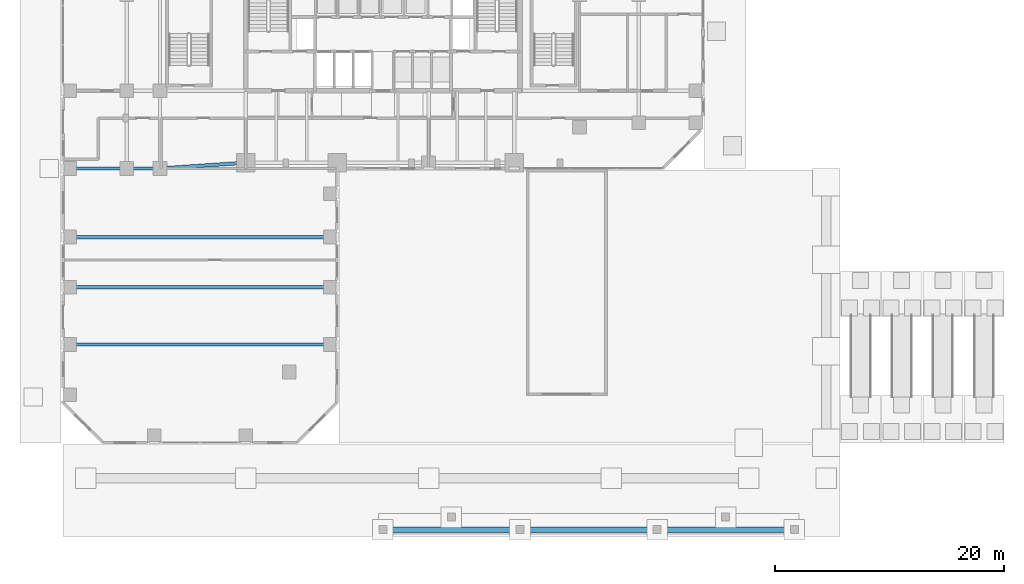
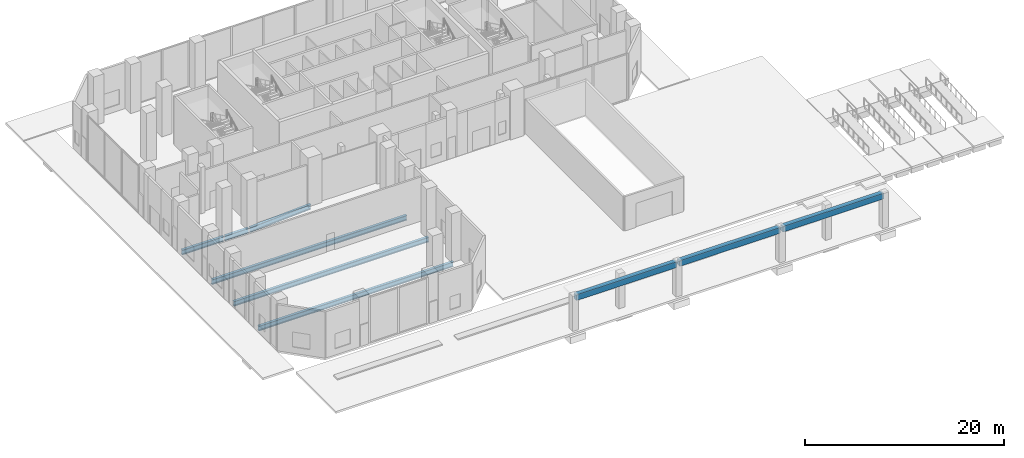
# One storey, part 3 of 26: 9 beams.
"""IFC4 building model written with IfcOpenShell, lengths in metres."""

from ifc_helpers import new_model, si_unit, direction, frame, origin, origin_2d, place, context, subcontext, project, spatial, rectangle, i_section, extrude, material, material_profile, profile_set, type_object, element, save


model = new_model("IFC4")

# Units and contexts
model_context = context("Model", 3, precision=1e-05, world=origin(), true_north=direction((0.0, 1.0)))
body_context = subcontext(model_context, "Body", "Model", "MODEL_VIEW")
ifc_project = project(units=[si_unit("LENGTHUNIT", "METRE"), si_unit("AREAUNIT", "SQUARE_METRE"), si_unit("VOLUMEUNIT", "CUBIC_METRE"), si_unit("PLANEANGLEUNIT", "RADIAN"), si_unit("MASSUNIT", "GRAM", prefix="KILO")], contexts=[model_context])

# Site, building, storey
site_placement = place(None, origin())
site = spatial("IfcSite", under=ifc_project, at=site_placement, CompositionType="ELEMENT")
building_placement = place(site_placement, origin())
building = spatial("IfcBuilding", under=site, at=building_placement, Name="Catumbela Crestline Tower", CompositionType="ELEMENT")
storey_placement = place(building_placement, origin())
storey = spatial("IfcBuildingStorey", under=building, at=storey_placement, Name="L00", CompositionType="ELEMENT", Elevation=0.0)

# Beams
ifc_material_1 = material(Name="Structural steel S355J2", Category="steel")
ifc_material_profile_1 = material_profile(ifc_material_1, i_section(OverallWidth=0.3, OverallDepth=0.6, WebThickness=0.0155, FlangeThickness=0.03, FilletRadius=0.027, at=origin_2d()), Name="HEB 600")
ifc_profile_set_1 = profile_set([ifc_material_profile_1], Name="Structural steel S355J2")
beam_type_1 = type_object("IfcBeamType", Name="BG-HEB600", PredefinedType="BEAM", material=ifc_profile_set_1)
beam_1_placement = place(storey_placement, frame((0.68, 24.0, -0.62), z_axis=(1.0, 0.0, 0.0), x_axis=(0.0, 1.0, 0.0)))
element("IfcBeam", 1, at=beam_1_placement, inside=storey, type_object=beam_type_1, Name="L00 Beam BM-L00-S01", PredefinedType="BEAM", context=body_context, shape_type="SweptSolid", body=[
    extrude(i_section(OverallWidth=0.3, OverallDepth=0.6, WebThickness=0.0155, FlangeThickness=0.03, FilletRadius=0.027, at=origin_2d()), origin(), (0.0, 0.0, 1.0), 4.84),
])
beam_2_placement = place(storey_placement, frame((5.68, 24.0, -0.62), z_axis=(1.0, 0.0, 0.0), x_axis=(0.0, 1.0, 0.0)))
element("IfcBeam", 2, at=beam_2_placement, inside=storey, type_object=beam_type_1, Name="L00 Beam BM-L00-S02", PredefinedType="BEAM", context=body_context, shape_type="SweptSolid", body=[
    extrude(i_section(OverallWidth=0.3, OverallDepth=0.6, WebThickness=0.0155, FlangeThickness=0.03, FilletRadius=0.027, at=origin_2d()), origin(), (0.0, 0.0, 1.0), 2.74),
])
beam_3_placement = place(storey_placement, frame((8.5798, 24.0053, -0.62), z_axis=(0.997784796964, 0.066524423687, 0.0), x_axis=(-0.066524423687, 0.997784796964, 0.0)))
element("IfcBeam", 3, at=beam_3_placement, inside=storey, type_object=beam_type_1, Name="L00 Beam BM-L00-S03", PredefinedType="BEAM", context=body_context, shape_type="SweptSolid", body=[
    extrude(i_section(OverallWidth=0.3, OverallDepth=0.6, WebThickness=0.0155, FlangeThickness=0.03, FilletRadius=0.027, at=origin_2d()), origin(), (0.0, 0.0, 1.0), 7.3567),
])
for number, where, z_axis, x_axis, name in (
    (4, (0.68, 8.6, -0.62), (1.0, 0.0, 0.0), (0.0, 1.0, 0.0), "L00 Beam BM-L00-BLR39"),
    (5, (0.68, 13.6, -0.62), (1.0, 0.0, 0.0), (0.0, 1.0, 0.0), "L00 Beam BM-L00-BLR40"),
    (6, (0.68, 18.0, -0.62), (1.0, 0.0, 0.0), (0.0, 1.0, 0.0), "L00 Beam BM-L00-BLR41"),
):
    element("IfcBeam", number, at=place(storey_placement, frame(where, z_axis=z_axis, x_axis=x_axis)), inside=storey, type_object=beam_type_1, Name=name, PredefinedType="BEAM", context=body_context, shape_type="SweptSolid", body=[
        extrude(i_section(OverallWidth=0.3, OverallDepth=0.6, WebThickness=0.0155, FlangeThickness=0.03, FilletRadius=0.027, at=origin_2d()), origin(), (0.0, 0.0, 1.0), 22.64),
    ])
ifc_material_2 = material(Name="Concrete C45/55", Category="concrete")
ifc_material_profile_2 = material_profile(ifc_material_2, rectangle(XDim=0.5, YDim=0.7, at=origin_2d()), Name="RC 500x700")
ifc_profile_set_2 = profile_set([ifc_material_profile_2], Name="Concrete C45/55")
beam_type_2 = type_object("IfcBeamType", Name="BS-700", PredefinedType="SPANDREL", material=ifc_profile_set_2)
for number, where, z_axis, x_axis, name in (
    (7, (28.15, -7.6, 3.45), (1.0, 0.0, 0.0), (0.0, 1.0, 0.0), "L00 Waterfront Canopy Edge Spandrel 1"),
    (8, (40.15, -7.6, 3.45), (1.0, 0.0, 0.0), (0.0, 1.0, 0.0), "L00 Waterfront Canopy Edge Spandrel 2"),
    (9, (52.15, -7.6, 3.45), (1.0, 0.0, 0.0), (0.0, 1.0, 0.0), "L00 Waterfront Canopy Edge Spandrel 3"),
):
    element("IfcBeam", number, at=place(storey_placement, frame(where, z_axis=z_axis, x_axis=x_axis)), inside=storey, type_object=beam_type_2, Name=name, PredefinedType="SPANDREL", context=body_context, shape_type="SweptSolid", body=[
        extrude(rectangle(XDim=0.5, YDim=0.7, at=origin_2d()), origin(), (0.0, 0.0, 1.0), 11.7),
    ])

save(model, "model.ifc")
